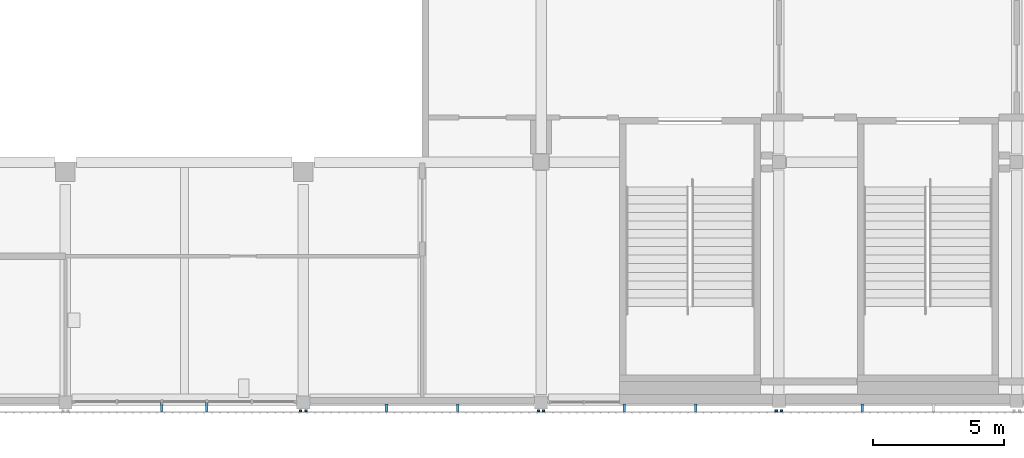
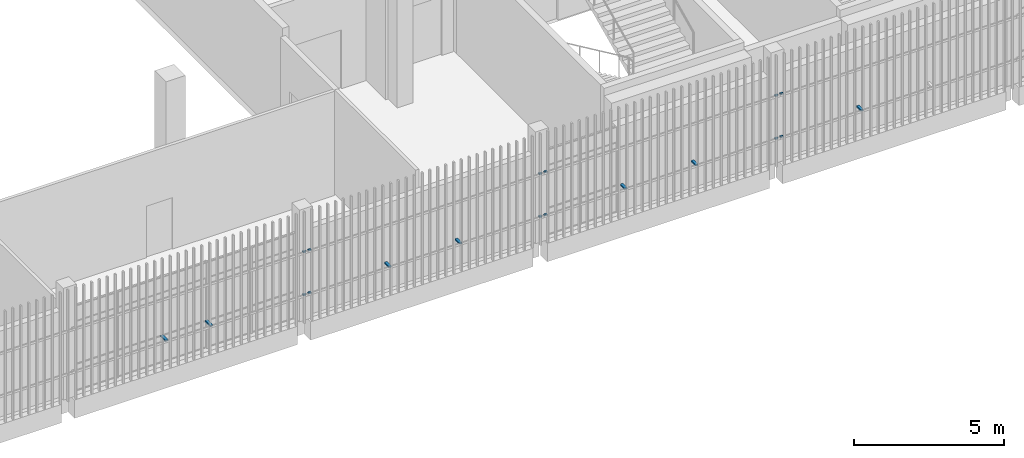
# One storey, part 92 of 124: 19 discrete accessories.
"""IFC4 building model written with IfcOpenShell, lengths in metres."""

from ifc_helpers import new_model, si_unit, direction, frame, origin, origin_2d, place, context, subcontext, project, spatial, rectangle, extrude, material, type_object, element, save


model = new_model("IFC4")

# Units and contexts
model_context = context("Model", 3, precision=1e-05, world=origin(), true_north=direction((0.0, 1.0)))
body_context = subcontext(model_context, "Body", "Model", "MODEL_VIEW")
ifc_project = project(units=[si_unit("LENGTHUNIT", "METRE"), si_unit("AREAUNIT", "SQUARE_METRE"), si_unit("VOLUMEUNIT", "CUBIC_METRE"), si_unit("PLANEANGLEUNIT", "RADIAN"), si_unit("MASSUNIT", "GRAM", prefix="KILO")], contexts=[model_context])

# Site, building, storey
site_placement = place(None, origin())
site = spatial("IfcSite", under=ifc_project, at=site_placement, CompositionType="ELEMENT")
building_placement = place(site_placement, origin())
building = spatial("IfcBuilding", under=site, at=building_placement, Name="Shirokan Park Arena", CompositionType="ELEMENT")
storey_placement = place(building_placement, frame((0.0, 0.0, 20.02001953125)))
storey = spatial("IfcBuildingStorey", under=building, at=storey_placement, Name="L04", CompositionType="ELEMENT", Elevation=20.02001953125)

# Discrete accessories
ifc_material = material(Name="Steel S355", Category="steel")
discrete_accessory_type = type_object("IfcDiscreteAccessoryType", Name="Veil bracket 100x60", PredefinedType="BRACKET", material=ifc_material)
for number, where, z_axis, x_axis, name in (
    (1, (100.0, -0.409912109375, 1.070068359375), (0.0, 0.0, 1.0), (1.0, 0.0, 0.0), "Veil bracket south bay 11 L04 2"),
    (2, (100.0, -0.409912109375, 2.820068359375), (0.0, 0.0, 1.0), (1.0, 0.0, 0.0), "Veil bracket south bay 11 L04 4"),
):
    element("IfcDiscreteAccessory", number, at=place(storey_placement, frame(where, z_axis=z_axis, x_axis=x_axis)), inside=storey, type_object=discrete_accessory_type, Name=name, PredefinedType="BRACKET", context=body_context, shape_type="SweptSolid", body=[
        extrude(rectangle(XDim=0.10009765625, YDim=0.070068359375, at=origin_2d()), origin(), (0.0, 0.0, 1.0), 0.06005859375),
    ])
for number, where, z_axis, x_axis, name in (
    (3, (94.68994140625, -0.2724609375, 1.070068359375), (0.0, 0.0, 1.0), (1.0, 0.0, 0.0), "Veil bracket south bay 11 L04 wall 1"),
    (4, (96.409912109375, -0.2724609375, 1.070068359375), (0.0, 0.0, 1.0), (1.0, 0.0, 0.0), "Veil bracket south bay 11 L04 wall 2"),
):
    element("IfcDiscreteAccessory", number, at=place(storey_placement, frame(where, z_axis=z_axis, x_axis=x_axis)), inside=storey, type_object=discrete_accessory_type, Name=name, PredefinedType="BRACKET", context=body_context, shape_type="SweptSolid", body=[
        extrude(rectangle(XDim=0.10009765625, YDim=0.344970703125, at=origin_2d()), origin(), (0.0, 0.0, 1.0), 0.06005859375),
    ])
for number, where, z_axis, x_axis, name in (
    (5, (100.199951171875, -0.409912109375, 1.070068359375), (0.0, 0.0, 1.0), (1.0, 0.0, 0.0), "Veil bracket south bay 12 L04 1"),
    (6, (109.10009765625, -0.409912109375, 1.070068359375), (0.0, 0.0, 1.0), (1.0, 0.0, 0.0), "Veil bracket south bay 12 L04 2"),
    (7, (100.199951171875, -0.409912109375, 2.820068359375), (0.0, 0.0, 1.0), (1.0, 0.0, 0.0), "Veil bracket south bay 12 L04 3"),
    (8, (109.10009765625, -0.409912109375, 2.820068359375), (0.0, 0.0, 1.0), (1.0, 0.0, 0.0), "Veil bracket south bay 12 L04 4"),
):
    element("IfcDiscreteAccessory", number, at=place(storey_placement, frame(where, z_axis=z_axis, x_axis=x_axis)), inside=storey, type_object=discrete_accessory_type, Name=name, PredefinedType="BRACKET", context=body_context, shape_type="SweptSolid", body=[
        extrude(rectangle(XDim=0.10009765625, YDim=0.070068359375, at=origin_2d()), origin(), (0.0, 0.0, 1.0), 0.06005859375),
    ])
for number, where, z_axis, x_axis, name in (
    (9, (103.284912109375, -0.297607421875, 1.070068359375), (0.0, 0.0, 1.0), (1.0, 0.0, 0.0), "Veil bracket south bay 12 L04 wall 1"),
    (10, (106.014892578125, -0.297607421875, 1.070068359375), (0.0, 0.0, 1.0), (1.0, 0.0, 0.0), "Veil bracket south bay 12 L04 wall 2"),
):
    element("IfcDiscreteAccessory", number, at=place(storey_placement, frame(where, z_axis=z_axis, x_axis=x_axis)), inside=storey, type_object=discrete_accessory_type, Name=name, PredefinedType="BRACKET", context=body_context, shape_type="SweptSolid", body=[
        extrude(rectangle(XDim=0.10009765625, YDim=0.294921875, at=origin_2d()), origin(), (0.0, 0.0, 1.0), 0.06005859375),
    ])
for number, where, z_axis, x_axis, name in (
    (11, (109.300048828125, -0.409912109375, 1.070068359375), (0.0, 0.0, 1.0), (1.0, 0.0, 0.0), "Veil bracket south bay 13 L04 1"),
    (12, (118.199951171875, -0.409912109375, 1.070068359375), (0.0, 0.0, 1.0), (1.0, 0.0, 0.0), "Veil bracket south bay 13 L04 2"),
    (13, (109.300048828125, -0.409912109375, 2.820068359375), (0.0, 0.0, 1.0), (1.0, 0.0, 0.0), "Veil bracket south bay 13 L04 3"),
    (14, (118.199951171875, -0.409912109375, 2.820068359375), (0.0, 0.0, 1.0), (1.0, 0.0, 0.0), "Veil bracket south bay 13 L04 4"),
):
    element("IfcDiscreteAccessory", number, at=place(storey_placement, frame(where, z_axis=z_axis, x_axis=x_axis)), inside=storey, type_object=discrete_accessory_type, Name=name, PredefinedType="BRACKET", context=body_context, shape_type="SweptSolid", body=[
        extrude(rectangle(XDim=0.10009765625, YDim=0.070068359375, at=origin_2d()), origin(), (0.0, 0.0, 1.0), 0.06005859375),
    ])
for number, where, z_axis, x_axis, name in (
    (15, (112.385009765625, -0.297607421875, 1.070068359375), (0.0, 0.0, 1.0), (1.0, 0.0, 0.0), "Veil bracket south bay 13 L04 wall 1"),
    (16, (115.114990234375, -0.297607421875, 1.070068359375), (0.0, 0.0, 1.0), (1.0, 0.0, 0.0), "Veil bracket south bay 13 L04 wall 2"),
):
    element("IfcDiscreteAccessory", number, at=place(storey_placement, frame(where, z_axis=z_axis, x_axis=x_axis)), inside=storey, type_object=discrete_accessory_type, Name=name, PredefinedType="BRACKET", context=body_context, shape_type="SweptSolid", body=[
        extrude(rectangle(XDim=0.10009765625, YDim=0.294921875, at=origin_2d()), origin(), (0.0, 0.0, 1.0), 0.06005859375),
    ])
for number, where, z_axis, x_axis, name in (
    (17, (118.39990234375, -0.409912109375, 1.070068359375), (0.0, 0.0, 1.0), (1.0, 0.0, 0.0), "Veil bracket south bay 14 L04 1"),
    (18, (118.39990234375, -0.409912109375, 2.820068359375), (0.0, 0.0, 1.0), (1.0, 0.0, 0.0), "Veil bracket south bay 14 L04 3"),
):
    element("IfcDiscreteAccessory", number, at=place(storey_placement, frame(where, z_axis=z_axis, x_axis=x_axis)), inside=storey, type_object=discrete_accessory_type, Name=name, PredefinedType="BRACKET", context=body_context, shape_type="SweptSolid", body=[
        extrude(rectangle(XDim=0.10009765625, YDim=0.070068359375, at=origin_2d()), origin(), (0.0, 0.0, 1.0), 0.06005859375),
    ])
discrete_accessory_placement = place(storey_placement, frame((121.485107421875, -0.297607421875, 1.070068359375), z_axis=(0.0, 0.0, 1.0), x_axis=(1.0, 0.0, 0.0)))
element("IfcDiscreteAccessory", 19, at=discrete_accessory_placement, inside=storey, type_object=discrete_accessory_type, Name="Veil bracket south bay 14 L04 wall 1", PredefinedType="BRACKET", context=body_context, shape_type="SweptSolid", body=[
    extrude(rectangle(XDim=0.10009765625, YDim=0.294921875, at=origin_2d()), origin(), (0.0, 0.0, 1.0), 0.06005859375),
])

save(model, "model.ifc")
